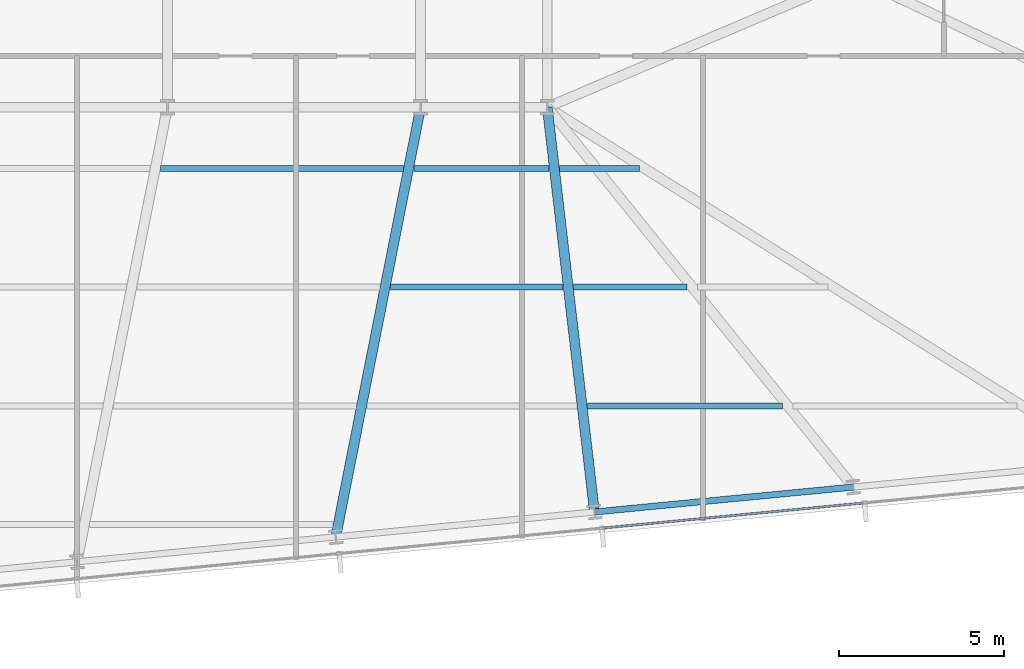
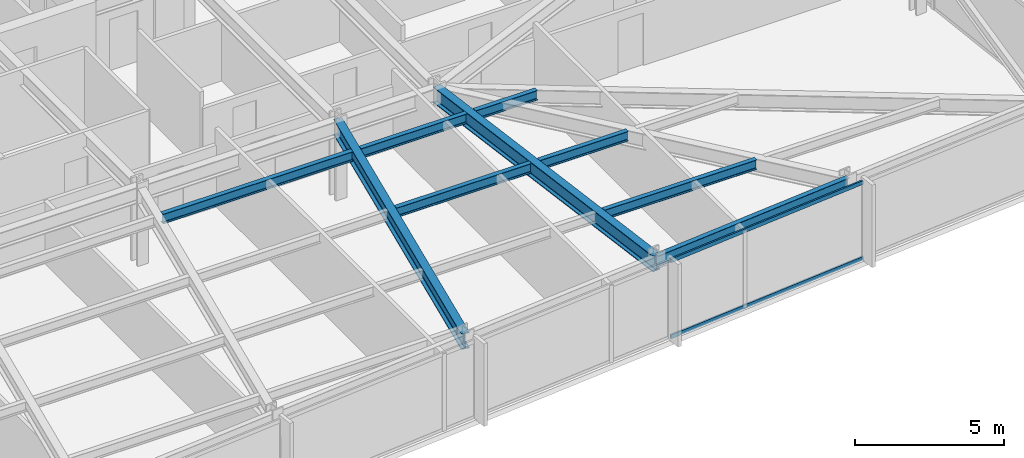
# One storey, part 11 of 33: 9 beams, 2 members, 1 element without a shape of its own.
"""IFC4 building model written with IfcOpenShell, lengths in metres."""

from ifc_helpers import new_model, si_unit, direction, frame, origin, origin_2d, place, context, subcontext, project, spatial, hollow_rectangle, i_section, extrude, material, material_profile, profile_set, type_object, element, aggregate, save


model = new_model("IFC4")

# Units and contexts
model_context = context("Model", 3, precision=1e-05, world=origin(), true_north=direction((0.0, 1.0)))
body_context = subcontext(model_context, "Body", "Model", "MODEL_VIEW")
ifc_project = project(units=[si_unit("LENGTHUNIT", "METRE"), si_unit("AREAUNIT", "SQUARE_METRE"), si_unit("VOLUMEUNIT", "CUBIC_METRE"), si_unit("PLANEANGLEUNIT", "RADIAN"), si_unit("MASSUNIT", "GRAM", prefix="KILO")], contexts=[model_context])

# Site, building, storey
site_placement = place(None, origin())
site = spatial("IfcSite", under=ifc_project, at=site_placement, CompositionType="ELEMENT")
building_placement = place(site_placement, origin())
building = spatial("IfcBuilding", under=site, at=building_placement, Name="Yelkora Congress Tower", CompositionType="ELEMENT")
storey_placement = place(building_placement, frame((0.0, 0.0, 106.699951171875)))
storey = spatial("IfcBuildingStorey", under=building, at=storey_placement, Name="L28", CompositionType="ELEMENT", Elevation=106.699951171875)

# Beams
ifc_material_1 = material(Name="Steel S355J2", Category="steel")
ifc_material_profile_1 = material_profile(ifc_material_1, i_section(OverallWidth=0.300048828125, OverallDepth=0.64990234375, WebThickness=0.01611328125, FlangeThickness=0.031005859375, FilletRadius=0.027099609375, at=origin_2d()), Name="HEB 650")
ifc_profile_set_1 = profile_set([ifc_material_profile_1], Name="Steel S355J2")
beam_type_1 = type_object("IfcBeamType", Name="BM-GIRD-HEB650", PredefinedType="BEAM", material=ifc_profile_set_1)
beam_1_placement = place(storey_placement, frame((51.18359375, 12.16748046875, 2.85498046875), z_axis=(0.193938615251, 0.981013666324, 0.0), x_axis=(-0.981013666324, 0.193938615251, 0.0)))
element("IfcBeam", 1, at=beam_1_placement, inside=storey, type_object=beam_type_1, Name="L28 Primary Frame Girder S05", PredefinedType="BEAM", context=body_context, shape_type="SweptSolid", body=[
    extrude(i_section(OverallWidth=0.300048828125, OverallDepth=0.64990234375, WebThickness=0.01611328125, FlangeThickness=0.031005859375, FilletRadius=0.027099609375, at=origin_2d()), origin(), (0.0, 0.0, 1.0), 13.28466796875),
])
beam_2_placement = place(storey_placement, frame((59.033203125, 12.92333984375, 2.85498046875), z_axis=(-0.115947280821, 0.993255369011, 0.0), x_axis=(-0.993255369011, -0.115947280821, 0.0)))
element("IfcBeam", 2, at=beam_2_placement, inside=storey, type_object=beam_type_1, Name="L28 Primary Frame Girder S06", PredefinedType="BEAM", context=body_context, shape_type="SweptSolid", body=[
    extrude(i_section(OverallWidth=0.300048828125, OverallDepth=0.64990234375, WebThickness=0.01611328125, FlangeThickness=0.031005859375, FilletRadius=0.027099609375, at=origin_2d()), origin(), (0.0, 0.0, 1.0), 12.35986328125),
])
ifc_material_profile_2 = material_profile(ifc_material_1, i_section(OverallWidth=0.179931640625, OverallDepth=0.39990234375, WebThickness=0.008544921875, FlangeThickness=0.013427734375, FilletRadius=0.02099609375, at=origin_2d()), Name="IPE 400")
ifc_profile_set_2 = profile_set([ifc_material_profile_2], Name="Steel S355J2")
beam_type_2 = type_object("IfcBeamType", Name="BM-JOIST-IPE400", PredefinedType="JOIST", material=ifc_profile_set_2)
beam_3_placement = place(storey_placement, frame((58.817138671875, 16.144287109375, 2.97998046875), z_axis=(1.0, 0.0, 0.0), x_axis=(0.0, 1.0, 0.0)))
element("IfcBeam", 3, at=beam_3_placement, inside=storey, type_object=beam_type_2, Name="L28 Composite Floor Joist 9", PredefinedType="JOIST", context=body_context, shape_type="SweptSolid", body=[
    extrude(i_section(OverallWidth=0.179931640625, OverallDepth=0.39990234375, WebThickness=0.008544921875, FlangeThickness=0.013427734375, FilletRadius=0.02099609375, at=origin_2d()), origin(), (0.0, 0.0, 1.0), 5.919189453125),
])
beam_4_placement = place(storey_placement, frame((52.841552734375, 19.744384765625, 2.97998046875), z_axis=(1.0, 0.0, 0.0), x_axis=(0.0, 1.0, 0.0)))
element("IfcBeam", 4, at=beam_4_placement, inside=storey, type_object=beam_type_2, Name="L28 Composite Floor Joist 15", PredefinedType="JOIST", context=body_context, shape_type="SweptSolid", body=[
    extrude(i_section(OverallWidth=0.179931640625, OverallDepth=0.39990234375, WebThickness=0.008544921875, FlangeThickness=0.013427734375, FilletRadius=0.02099609375, at=origin_2d()), origin(), (0.0, 0.0, 1.0), 5.2353515625),
])
beam_5_placement = place(storey_placement, frame((58.39697265625, 19.744384765625, 2.97998046875), z_axis=(1.0, 0.0, 0.0), x_axis=(0.0, 1.0, 0.0)))
element("IfcBeam", 5, at=beam_5_placement, inside=storey, type_object=beam_type_2, Name="L28 Composite Floor Joist 16", PredefinedType="JOIST", context=body_context, shape_type="SweptSolid", body=[
    extrude(i_section(OverallWidth=0.179931640625, OverallDepth=0.39990234375, WebThickness=0.008544921875, FlangeThickness=0.013427734375, FilletRadius=0.02099609375, at=origin_2d()), origin(), (0.0, 0.0, 1.0), 3.438720703125),
])
beam_6_placement = place(storey_placement, frame((45.87060546875, 23.344482421875, 2.97998046875), z_axis=(1.0, 0.0, 0.0), x_axis=(0.0, 1.0, 0.0)))
element("IfcBeam", 6, at=beam_6_placement, inside=storey, type_object=beam_type_2, Name="L28 Composite Floor Joist 21", PredefinedType="JOIST", context=body_context, shape_type="SweptSolid", body=[
    extrude(i_section(OverallWidth=0.179931640625, OverallDepth=0.39990234375, WebThickness=0.008544921875, FlangeThickness=0.013427734375, FilletRadius=0.02099609375, at=origin_2d()), origin(), (0.0, 0.0, 1.0), 7.362548828125),
])
beam_7_placement = place(storey_placement, frame((53.55322265625, 23.344482421875, 2.97998046875), z_axis=(1.0, 0.0, 0.0), x_axis=(0.0, 1.0, 0.0)))
element("IfcBeam", 7, at=beam_7_placement, inside=storey, type_object=beam_type_2, Name="L28 Composite Floor Joist 22", PredefinedType="JOIST", context=body_context, shape_type="SweptSolid", body=[
    extrude(i_section(OverallWidth=0.179931640625, OverallDepth=0.39990234375, WebThickness=0.008544921875, FlangeThickness=0.013427734375, FilletRadius=0.02099609375, at=origin_2d()), origin(), (0.0, 0.0, 1.0), 4.103271484375),
])
beam_8_placement = place(storey_placement, frame((57.9765625, 23.344482421875, 2.97998046875), z_axis=(1.0, 0.0, 0.0), x_axis=(0.0, 1.0, 0.0)))
element("IfcBeam", 8, at=beam_8_placement, inside=storey, type_object=beam_type_2, Name="L28 Composite Floor Joist 23", PredefinedType="JOIST", context=body_context, shape_type="SweptSolid", body=[
    extrude(i_section(OverallWidth=0.179931640625, OverallDepth=0.39990234375, WebThickness=0.008544921875, FlangeThickness=0.013427734375, FilletRadius=0.02099609375, at=origin_2d()), origin(), (0.0, 0.0, 1.0), 2.41650390625),
])
ifc_material_profile_3 = material_profile(ifc_material_1, i_section(OverallWidth=0.18994140625, OverallDepth=0.449951171875, WebThickness=0.009521484375, FlangeThickness=0.0146484375, FilletRadius=0.02099609375, at=origin_2d()), Name="IPE 450")
ifc_profile_set_3 = profile_set([ifc_material_profile_3], Name="Steel S355J2")
beam_type_3 = type_object("IfcBeamType", Name="BM-SPAN-IPE450", PredefinedType="SPANDREL", material=ifc_profile_set_3)
beam_9_placement = place(storey_placement, frame((59.033203125, 12.92333984375, 2.955078125), z_axis=(0.995395575667, 0.095852219286, 0.0), x_axis=(-0.095852219286, 0.995395575667, 0.0)))
element("IfcBeam", 9, at=beam_9_placement, inside=storey, type_object=beam_type_3, Name="L28 Perimeter Beam 8", PredefinedType="SPANDREL", context=body_context, shape_type="SweptSolid", body=[
    extrude(i_section(OverallWidth=0.18994140625, OverallDepth=0.449951171875, WebThickness=0.009521484375, FlangeThickness=0.0146484375, FilletRadius=0.02099609375, at=origin_2d()), origin(), (0.0, 0.0, 1.0), 7.8857421875),
])

# Curtain wall, members
ifc_material_2 = material(Name="Anodised aluminium and insulated glass", Category="aluminium")
curtain_wall_type = type_object("IfcCurtainWallType", Name="CW-SYS-B2", PredefinedType="NOTDEFINED", material=ifc_material_2)
curtain_wall_placement = place(storey_placement, origin())
curtain_wall = element("IfcCurtainWall", 10, at=curtain_wall_placement, inside=storey, type_object=curtain_wall_type, Name="L28 Unitised Curtain Wall 20", PredefinedType="NOTDEFINED")
ifc_material_3 = material(Name="Anodised aluminium 6063-T6", Category="aluminium")
ifc_material_profile_4 = material_profile(ifc_material_3, hollow_rectangle(XDim=0.06494140625, YDim=0.159912109375, WallThickness=0.00390625, at=origin_2d()), Name="ALU 65x160x4")
ifc_profile_set_4 = profile_set([ifc_material_profile_4], Name="Anodised aluminium 6063-T6")
member_type = type_object("IfcMemberType", Name="MEM-TR-B2", PredefinedType="USERDEFINED", material=ifc_profile_set_4)
member_1_placement = place(storey_placement, frame((67.18798828125, 13.1962890625, 0.032470703125), z_axis=(-0.995397293396, -0.095834379534, 0.0), x_axis=(0.095834379534, -0.995397293396, 0.0)))
member_1 = element("IfcMember", 11, at=member_1_placement, type_object=member_type, Name="CW-B2 transom 2.1", ObjectType="TRANSOM", PredefinedType="USERDEFINED", context=body_context, shape_type="SweptSolid", body=[
    extrude(hollow_rectangle(XDim=0.06494140625, YDim=0.159912109375, WallThickness=0.00390625, at=origin_2d()), origin(), (0.0, 0.0, 1.0), 7.93310546875),
])
member_2_placement = place(storey_placement, frame((67.18798828125, 13.1962890625, 3.1474609375), z_axis=(-0.995397293396, -0.095834379534, 0.0), x_axis=(0.095834379534, -0.995397293396, 0.0)))
member_2 = element("IfcMember", 12, at=member_2_placement, type_object=member_type, Name="CW-B2 transom 2.2", ObjectType="TRANSOM", PredefinedType="USERDEFINED", context=body_context, shape_type="SweptSolid", body=[
    extrude(hollow_rectangle(XDim=0.06494140625, YDim=0.159912109375, WallThickness=0.00390625, at=origin_2d()), origin(), (0.0, 0.0, 1.0), 7.93310546875),
])
aggregate(curtain_wall, [member_1, member_2])

save(model, "model.ifc")
